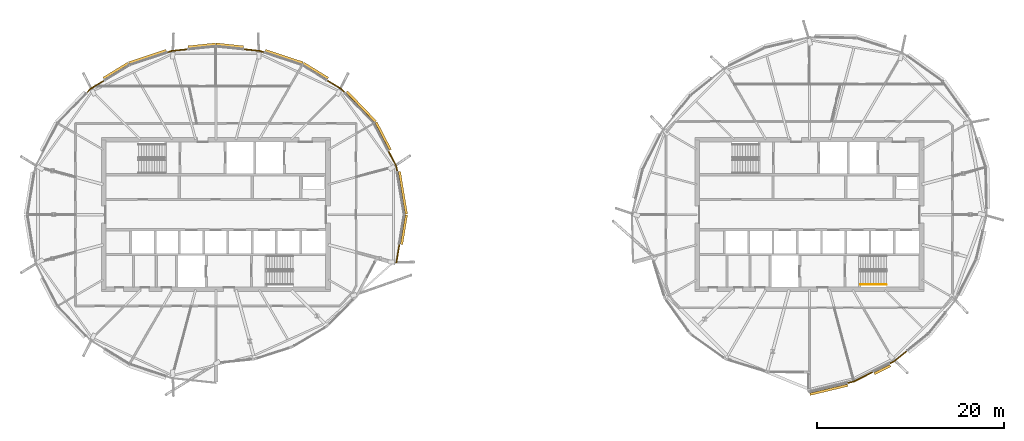
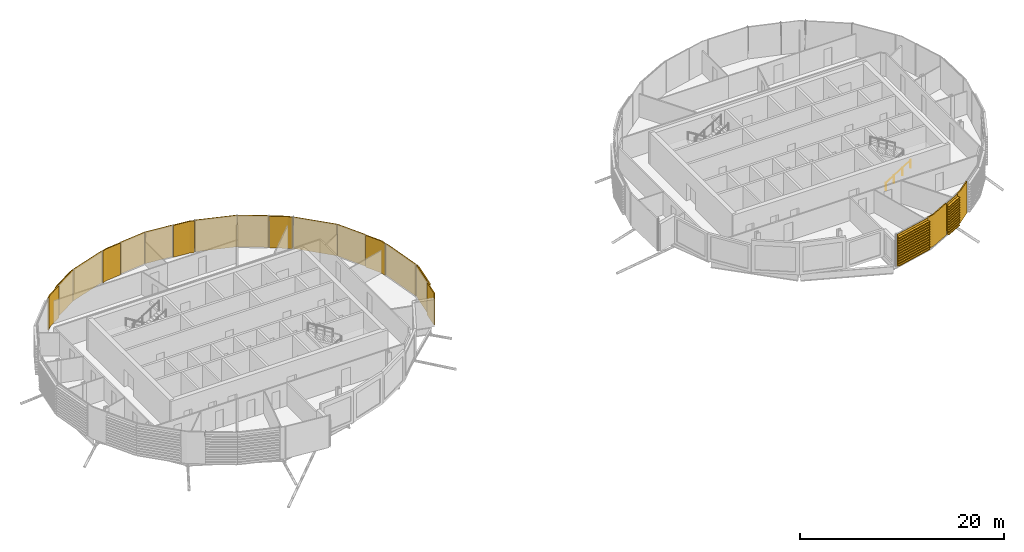
# One storey, part 34 of 36: 20 coverings, 1 railing.
"""IFC4 building model written with IfcOpenShell, lengths in metres."""

from ifc_helpers import new_model, si_unit, direction, frame, origin, origin_2d, place, context, subcontext, project, spatial, polyline, circle, outline, extrude, material, layer, layer_set, material_profile, profile_set, type_object, element, save


model = new_model("IFC4")

# Units and contexts
model_context = context("Model", 3, precision=1e-05, world=origin(), true_north=direction((0.0, 1.0)))
body_context = subcontext(model_context, "Body", "Model", "MODEL_VIEW")
ifc_project = project(units=[si_unit("LENGTHUNIT", "METRE"), si_unit("AREAUNIT", "SQUARE_METRE"), si_unit("VOLUMEUNIT", "CUBIC_METRE"), si_unit("PLANEANGLEUNIT", "RADIAN"), si_unit("MASSUNIT", "GRAM", prefix="KILO")], contexts=[model_context])

# Site, building, storey
site_placement = place(None, origin())
site = spatial("IfcSite", under=ifc_project, at=site_placement, CompositionType="ELEMENT")
building_placement = place(site_placement, origin())
building = spatial("IfcBuilding", under=site, at=building_placement, Name="Rimbun Link Towers", CompositionType="ELEMENT")
storey_placement = place(building_placement, frame((0.0, 0.0, 248.5)))
storey = spatial("IfcBuildingStorey", under=building, at=storey_placement, Name="L61", CompositionType="ELEMENT", Elevation=248.5)

# Coverings
ifc_material_1 = material(Name="Terracotta", Category="masonry")
ifc_layer = layer(ifc_material_1, 0.1201171875)
ifc_layer_set = layer_set([ifc_layer], Name="LINK PIER terracotta cladding 120")
covering_type_1 = type_object("IfcCoveringType", Name="LINK PIER terracotta cladding 120", PredefinedType="CLADDING", material=ifc_layer_set)
covering_1_placement = place(storey_placement, origin())
element("IfcCovering", 1, at=covering_1_placement, inside=storey, type_object=covering_type_1, Name="LINK PIER cladding", PredefinedType="CLADDING", context=body_context, shape_type="SweptSolid", body=[
    extrude(outline(polyline([(-13.327392578125, 6.77685546875), (-12.490966796875, 5.160400390625), (-12.3984375, 4.59814453125), (-12.280029296875, 4.617431640625), (-12.37548828125, 5.19873046875), (-13.220703125, 6.83203125), (-13.327392578125, 6.77685546875)])), origin(), (0.0, 0.0, 1.0), 3.800048828125),
])
covering_2_placement = place(storey_placement, origin())
element("IfcCovering", 2, at=covering_2_placement, inside=storey, type_object=covering_type_1, Name="LINK PIER cladding", PredefinedType="CLADDING", context=body_context, shape_type="SweptSolid", body=[
    extrude(outline(polyline([(-19.8662109375, 14.318115234375), (-18.35791015625, 13.39208984375), (-17.96337890625, 12.980712890625), (-17.876708984375, 13.063720703125), (-18.281982421875, 13.486328125), (-19.803466796875, 14.42041015625), (-19.8662109375, 14.318115234375)])), origin(), (0.0, 0.0, 1.0), 3.800048828125),
])
covering_3_placement = place(storey_placement, origin())
element("IfcCovering", 3, at=covering_3_placement, inside=storey, type_object=covering_type_1, Name="LINK PIER cladding", PredefinedType="CLADDING", context=body_context, shape_type="SweptSolid", body=[
    extrude(outline(polyline([(-28.781982421875, 17.640625), (-27.071533203125, 17.460693359375), (-26.577880859375, 17.297119140625), (-26.5400390625, 17.410888671875), (-27.046142578125, 17.57861328125), (-28.76953125, 17.760009765625), (-28.781982421875, 17.640625)])), origin(), (0.0, 0.0, 1.0), 3.800048828125),
])
covering_4_placement = place(storey_placement, origin())
element("IfcCovering", 4, at=covering_4_placement, inside=storey, type_object=covering_type_1, Name="LINK PIER cladding", PredefinedType="CLADDING", context=body_context, shape_type="SweptSolid", body=[
    extrude(outline(polyline([(-36.922119140625, 17.297119140625), (-36.428466796875, 17.460693359375), (-34.718017578125, 17.640625), (-34.73046875, 17.760009765625), (-36.453857421875, 17.57861328125), (-36.9599609375, 17.410888671875), (-36.922119140625, 17.297119140625)])), origin(), (0.0, 0.0, 1.0), 3.800048828125),
])
covering_5_placement = place(storey_placement, origin())
element("IfcCovering", 5, at=covering_5_placement, inside=storey, type_object=covering_type_1, Name="LINK PIER cladding", PredefinedType="CLADDING", context=body_context, shape_type="SweptSolid", body=[
    extrude(outline(polyline([(-45.53662109375, 12.980712890625), (-45.14208984375, 13.39208984375), (-43.6337890625, 14.318115234375), (-43.696533203125, 14.42041015625), (-45.218017578125, 13.486328125), (-45.623291015625, 13.063720703125), (-45.53662109375, 12.980712890625)])), origin(), (0.0, 0.0, 1.0), 3.800048828125),
])
covering_6_placement = place(storey_placement, origin())
element("IfcCovering", 6, at=covering_6_placement, inside=storey, type_object=covering_type_1, Name="LINK PIER cladding", PredefinedType="CLADDING", context=body_context, shape_type="SweptSolid", body=[
    extrude(outline(polyline([(-12.1630859375, -3.167236328125), (-12.486083984375, -5.130859375), (-12.36767578125, -5.150390625), (-12.044677734375, -3.186767578125), (-12.1630859375, -3.167236328125)])), origin(), (0.0, 0.0, 1.0), 3.800048828125),
])
covering_7_placement = place(storey_placement, origin())
element("IfcCovering", 7, at=covering_7_placement, inside=storey, type_object=covering_type_1, Name="LINK PIER cladding", PredefinedType="CLADDING", context=body_context, shape_type="SweptSolid", body=[
    extrude(outline(polyline([(38.547607421875, -16.77978515625), (36.51904296875, -17.798583984375), (35.81884765625, -17.966064453125), (35.8466796875, -18.082763671875), (36.560546875, -17.912109375), (38.6015625, -16.88720703125), (38.547607421875, -16.77978515625)])), origin(), (0.0, 0.0, 1.0), 3.800048828125),
])
covering_8_placement = place(storey_placement, origin())
element("IfcCovering", 8, at=covering_8_placement, inside=storey, type_object=covering_type_1, Name="LINK PIER cladding", PredefinedType="CLADDING", context=body_context, shape_type="SweptSolid", body=[
    extrude(outline(polyline([(42.1640625, -14.541015625), (40.788330078125, -15.65478515625), (40.323486328125, -15.887939453125), (40.37744140625, -15.995361328125), (40.853759765625, -15.756103515625), (42.239501953125, -14.63427734375), (42.1640625, -14.541015625)])), origin(), (0.0, 0.0, 1.0), 3.800048828125),
])

# Railing
ifc_material_2 = material(Name="Stainless steel grade 316", Category="steel")
railing_type = type_object("IfcRailingType", Name="Stair handrail", PredefinedType="HANDRAIL", material=ifc_material_2)
railing_placement = place(storey_placement, frame((37.199951171875, -7.5, 0.172607421875)))
element("IfcRailing", 9, at=railing_placement, inside=storey, type_object=railing_type, Name="L61 ST4 stair handrail 1", PredefinedType="HANDRAIL", context=body_context, shape_type="SweptSolid", body=[
    extrude(circle(Radius=0.02392578125, at=origin_2d()), frame((0.0, 0.0, 0.8759765625), z_axis=(0.851089632645, 0.0, 0.525020415988), x_axis=(0.0, 1.0, 0.0)), (0.0, 0.0, 1.0), 3.2900390625),
    extrude(circle(Radius=0.02099609375, at=origin_2d()), origin(), (0.0, 0.0, 1.0), 0.851806640625),
    extrude(circle(Radius=0.02099609375, at=origin_2d()), frame((0.933349609375, 0.0, 0.57568359375)), (0.0, 0.0, 1.0), 0.851806640625),
    extrude(circle(Radius=0.02099609375, at=origin_2d()), frame((1.86669921875, 0.0, 1.151611328125)), (0.0, 0.0, 1.0), 0.851806640625),
    extrude(circle(Radius=0.02099609375, at=origin_2d()), frame((2.800048828125, 0.0, 1.727294921875)), (0.0, 0.0, 1.0), 0.851806640625),
])

# Coverings
ifc_material_3 = material(Name="Terracotta", Category="masonry")
ifc_material_profile = material_profile(ifc_material_3, outline(polyline([(0.123046875, 0.0), (0.1630859375, 0.0), (0.1630859375, 0.10009765625), (0.423095703125, 0.10009765625), (0.423095703125, 0.219970703125), (0.1630859375, 0.219970703125), (0.1630859375, 0.39990234375), (0.423095703125, 0.39990234375), (0.423095703125, 0.52001953125), (0.1630859375, 0.52001953125), (0.1630859375, 0.699951171875), (0.423095703125, 0.699951171875), (0.423095703125, 0.820068359375), (0.1630859375, 0.820068359375), (0.1630859375, 1.0), (0.423095703125, 1.0), (0.423095703125, 1.1201171875), (0.1630859375, 1.1201171875), (0.1630859375, 1.300048828125), (0.423095703125, 1.300048828125), (0.423095703125, 1.419921875), (0.1630859375, 1.419921875), (0.1630859375, 1.60009765625), (0.423095703125, 1.60009765625), (0.423095703125, 1.719970703125), (0.1630859375, 1.719970703125), (0.1630859375, 1.89990234375), (0.423095703125, 1.89990234375), (0.423095703125, 2.02001953125), (0.1630859375, 2.02001953125), (0.1630859375, 2.199951171875), (0.423095703125, 2.199951171875), (0.423095703125, 2.320068359375), (0.1630859375, 2.320068359375), (0.1630859375, 2.5), (0.423095703125, 2.5), (0.423095703125, 2.6201171875), (0.1630859375, 2.6201171875), (0.1630859375, 2.800048828125), (0.423095703125, 2.800048828125), (0.423095703125, 2.919921875), (0.1630859375, 2.919921875), (0.1630859375, 3.10009765625), (0.423095703125, 3.10009765625), (0.423095703125, 3.219970703125), (0.1630859375, 3.219970703125), (0.1630859375, 3.39990234375), (0.423095703125, 3.39990234375), (0.423095703125, 3.52001953125), (0.1630859375, 3.52001953125), (0.1630859375, 3.800048828125), (0.123046875, 3.800048828125), (0.123046875, 0.0)])), Name="BAGUETTE 120X300")
ifc_profile_set = profile_set([ifc_material_profile], Name="Terracotta")
covering_type_2 = type_object("IfcCoveringType", Name="TERRACOTTA BAGUETTE 120X300 H3800", PredefinedType="CLADDING", material=ifc_profile_set)
covering_9_placement = place(storey_placement, frame((-12.3935546875, 4.568359375, 0.0), z_axis=(0.162260759492, -0.986747914074, 0.0), x_axis=(0.986747914074, 0.162260759492, 0.0)))
element("IfcCovering", 10, at=covering_9_placement, inside=storey, type_object=covering_type_2, Name="TERRACOTTA BAGUETTE", PredefinedType="CLADDING", context=body_context, shape_type="SweptSolid", body=[
    extrude(outline(polyline([(0.123046875, 0.0), (0.1630859375, 0.0), (0.1630859375, 0.10009765625), (0.423095703125, 0.10009765625), (0.423095703125, 0.219970703125), (0.1630859375, 0.219970703125), (0.1630859375, 0.39990234375), (0.423095703125, 0.39990234375), (0.423095703125, 0.52001953125), (0.1630859375, 0.52001953125), (0.1630859375, 0.699951171875), (0.423095703125, 0.699951171875), (0.423095703125, 0.820068359375), (0.1630859375, 0.820068359375), (0.1630859375, 1.0), (0.423095703125, 1.0), (0.423095703125, 1.1201171875), (0.1630859375, 1.1201171875), (0.1630859375, 1.300048828125), (0.423095703125, 1.300048828125), (0.423095703125, 1.419921875), (0.1630859375, 1.419921875), (0.1630859375, 1.60009765625), (0.423095703125, 1.60009765625), (0.423095703125, 1.719970703125), (0.1630859375, 1.719970703125), (0.1630859375, 1.89990234375), (0.423095703125, 1.89990234375), (0.423095703125, 2.02001953125), (0.1630859375, 2.02001953125), (0.1630859375, 2.199951171875), (0.423095703125, 2.199951171875), (0.423095703125, 2.320068359375), (0.1630859375, 2.320068359375), (0.1630859375, 2.5), (0.423095703125, 2.5), (0.423095703125, 2.6201171875), (0.1630859375, 2.6201171875), (0.1630859375, 2.800048828125), (0.423095703125, 2.800048828125), (0.423095703125, 2.919921875), (0.1630859375, 2.919921875), (0.1630859375, 3.10009765625), (0.423095703125, 3.10009765625), (0.423095703125, 3.219970703125), (0.1630859375, 3.219970703125), (0.1630859375, 3.39990234375), (0.423095703125, 3.39990234375), (0.423095703125, 3.52001953125), (0.1630859375, 3.52001953125), (0.1630859375, 3.800048828125), (0.123046875, 3.800048828125), (0.123046875, 0.0)])), origin(), (0.0, 0.0, 1.0), 4.629638671875),
])
covering_10_placement = place(storey_placement, frame((-14.864990234375, 9.74853515625, 0.0), z_axis=(0.459569127247, -0.888142002881, 0.0), x_axis=(0.888142002881, 0.459569127247, 0.0)))
element("IfcCovering", 11, at=covering_10_placement, inside=storey, type_object=covering_type_2, Name="TERRACOTTA BAGUETTE", PredefinedType="CLADDING", context=body_context, shape_type="SweptSolid", body=[
    extrude(outline(polyline([(0.123046875, 0.0), (0.1630859375, 0.0), (0.1630859375, 0.10009765625), (0.423095703125, 0.10009765625), (0.423095703125, 0.219970703125), (0.1630859375, 0.219970703125), (0.1630859375, 0.39990234375), (0.423095703125, 0.39990234375), (0.423095703125, 0.52001953125), (0.1630859375, 0.52001953125), (0.1630859375, 0.699951171875), (0.423095703125, 0.699951171875), (0.423095703125, 0.820068359375), (0.1630859375, 0.820068359375), (0.1630859375, 1.0), (0.423095703125, 1.0), (0.423095703125, 1.1201171875), (0.1630859375, 1.1201171875), (0.1630859375, 1.300048828125), (0.423095703125, 1.300048828125), (0.423095703125, 1.419921875), (0.1630859375, 1.419921875), (0.1630859375, 1.60009765625), (0.423095703125, 1.60009765625), (0.423095703125, 1.719970703125), (0.1630859375, 1.719970703125), (0.1630859375, 1.89990234375), (0.423095703125, 1.89990234375), (0.423095703125, 2.02001953125), (0.1630859375, 2.02001953125), (0.1630859375, 2.199951171875), (0.423095703125, 2.199951171875), (0.423095703125, 2.320068359375), (0.1630859375, 2.320068359375), (0.1630859375, 2.5), (0.423095703125, 2.5), (0.423095703125, 2.6201171875), (0.1630859375, 2.6201171875), (0.1630859375, 2.800048828125), (0.423095703125, 2.800048828125), (0.423095703125, 2.919921875), (0.1630859375, 2.919921875), (0.1630859375, 3.10009765625), (0.423095703125, 3.10009765625), (0.423095703125, 3.219970703125), (0.1630859375, 3.219970703125), (0.1630859375, 3.39990234375), (0.423095703125, 3.39990234375), (0.423095703125, 3.52001953125), (0.1630859375, 3.52001953125), (0.1630859375, 3.800048828125), (0.123046875, 3.800048828125), (0.123046875, 0.0)])), origin(), (0.0, 0.0, 1.0), 3.31591796875),
])
covering_11_placement = place(storey_placement, frame((-17.942626953125, 12.958984375, 0.0), z_axis=(0.692017431912, -0.721880789279, 0.0), x_axis=(0.721880789279, 0.692017431912, 0.0)))
element("IfcCovering", 12, at=covering_11_placement, inside=storey, type_object=covering_type_2, Name="TERRACOTTA BAGUETTE", PredefinedType="CLADDING", context=body_context, shape_type="SweptSolid", body=[
    extrude(outline(polyline([(0.123046875, 0.0), (0.1630859375, 0.0), (0.1630859375, 0.10009765625), (0.423095703125, 0.10009765625), (0.423095703125, 0.219970703125), (0.1630859375, 0.219970703125), (0.1630859375, 0.39990234375), (0.423095703125, 0.39990234375), (0.423095703125, 0.52001953125), (0.1630859375, 0.52001953125), (0.1630859375, 0.699951171875), (0.423095703125, 0.699951171875), (0.423095703125, 0.820068359375), (0.1630859375, 0.820068359375), (0.1630859375, 1.0), (0.423095703125, 1.0), (0.423095703125, 1.1201171875), (0.1630859375, 1.1201171875), (0.1630859375, 1.300048828125), (0.423095703125, 1.300048828125), (0.423095703125, 1.419921875), (0.1630859375, 1.419921875), (0.1630859375, 1.60009765625), (0.423095703125, 1.60009765625), (0.423095703125, 1.719970703125), (0.1630859375, 1.719970703125), (0.1630859375, 1.89990234375), (0.423095703125, 1.89990234375), (0.423095703125, 2.02001953125), (0.1630859375, 2.02001953125), (0.1630859375, 2.199951171875), (0.423095703125, 2.199951171875), (0.423095703125, 2.320068359375), (0.1630859375, 2.320068359375), (0.1630859375, 2.5), (0.423095703125, 2.5), (0.423095703125, 2.6201171875), (0.1630859375, 2.6201171875), (0.1630859375, 2.800048828125), (0.423095703125, 2.800048828125), (0.423095703125, 2.919921875), (0.1630859375, 2.919921875), (0.1630859375, 3.10009765625), (0.423095703125, 3.10009765625), (0.423095703125, 3.219970703125), (0.1630859375, 3.219970703125), (0.1630859375, 3.39990234375), (0.423095703125, 3.39990234375), (0.423095703125, 3.52001953125), (0.1630859375, 3.52001953125), (0.1630859375, 3.800048828125), (0.123046875, 3.800048828125), (0.123046875, 0.0)])), origin(), (0.0, 0.0, 1.0), 4.447265625),
])
covering_12_placement = place(storey_placement, frame((-22.53662109375, 15.957763671875, 0.0), z_axis=(0.852200764088, -0.523214924947, 0.0), x_axis=(0.523214924947, 0.852200764088, 0.0)))
element("IfcCovering", 13, at=covering_12_placement, inside=storey, type_object=covering_type_2, Name="TERRACOTTA BAGUETTE", PredefinedType="CLADDING", context=body_context, shape_type="SweptSolid", body=[
    extrude(outline(polyline([(0.123046875, 0.0), (0.1630859375, 0.0), (0.1630859375, 0.10009765625), (0.423095703125, 0.10009765625), (0.423095703125, 0.219970703125), (0.1630859375, 0.219970703125), (0.1630859375, 0.39990234375), (0.423095703125, 0.39990234375), (0.423095703125, 0.52001953125), (0.1630859375, 0.52001953125), (0.1630859375, 0.699951171875), (0.423095703125, 0.699951171875), (0.423095703125, 0.820068359375), (0.1630859375, 0.820068359375), (0.1630859375, 1.0), (0.423095703125, 1.0), (0.423095703125, 1.1201171875), (0.1630859375, 1.1201171875), (0.1630859375, 1.300048828125), (0.423095703125, 1.300048828125), (0.423095703125, 1.419921875), (0.1630859375, 1.419921875), (0.1630859375, 1.60009765625), (0.423095703125, 1.60009765625), (0.423095703125, 1.719970703125), (0.1630859375, 1.719970703125), (0.1630859375, 1.89990234375), (0.423095703125, 1.89990234375), (0.423095703125, 2.02001953125), (0.1630859375, 2.02001953125), (0.1630859375, 2.199951171875), (0.423095703125, 2.199951171875), (0.423095703125, 2.320068359375), (0.1630859375, 2.320068359375), (0.1630859375, 2.5), (0.423095703125, 2.5), (0.423095703125, 2.6201171875), (0.1630859375, 2.6201171875), (0.1630859375, 2.800048828125), (0.423095703125, 2.800048828125), (0.423095703125, 2.919921875), (0.1630859375, 2.919921875), (0.1630859375, 3.10009765625), (0.423095703125, 3.10009765625), (0.423095703125, 3.219970703125), (0.1630859375, 3.219970703125), (0.1630859375, 3.39990234375), (0.423095703125, 3.39990234375), (0.423095703125, 3.52001953125), (0.1630859375, 3.52001953125), (0.1630859375, 3.800048828125), (0.123046875, 3.800048828125), (0.123046875, 0.0)])), origin(), (0.0, 0.0, 1.0), 3.103515625),
])
covering_13_placement = place(storey_placement, frame((-26.54931640625, 17.28759765625, 0.0), z_axis=(0.949230524958, -0.314581325715, 0.0), x_axis=(0.314581325715, 0.949230524958, 0.0)))
element("IfcCovering", 14, at=covering_13_placement, inside=storey, type_object=covering_type_2, Name="TERRACOTTA BAGUETTE", PredefinedType="CLADDING", context=body_context, shape_type="SweptSolid", body=[
    extrude(outline(polyline([(0.123046875, 0.0), (0.1630859375, 0.0), (0.1630859375, 0.10009765625), (0.423095703125, 0.10009765625), (0.423095703125, 0.219970703125), (0.1630859375, 0.219970703125), (0.1630859375, 0.39990234375), (0.423095703125, 0.39990234375), (0.423095703125, 0.52001953125), (0.1630859375, 0.52001953125), (0.1630859375, 0.699951171875), (0.423095703125, 0.699951171875), (0.423095703125, 0.820068359375), (0.1630859375, 0.820068359375), (0.1630859375, 1.0), (0.423095703125, 1.0), (0.423095703125, 1.1201171875), (0.1630859375, 1.1201171875), (0.1630859375, 1.300048828125), (0.423095703125, 1.300048828125), (0.423095703125, 1.419921875), (0.1630859375, 1.419921875), (0.1630859375, 1.60009765625), (0.423095703125, 1.60009765625), (0.423095703125, 1.719970703125), (0.1630859375, 1.719970703125), (0.1630859375, 1.89990234375), (0.423095703125, 1.89990234375), (0.423095703125, 2.02001953125), (0.1630859375, 2.02001953125), (0.1630859375, 2.199951171875), (0.423095703125, 2.199951171875), (0.423095703125, 2.320068359375), (0.1630859375, 2.320068359375), (0.1630859375, 2.5), (0.423095703125, 2.5), (0.423095703125, 2.6201171875), (0.1630859375, 2.6201171875), (0.1630859375, 2.800048828125), (0.423095703125, 2.800048828125), (0.423095703125, 2.919921875), (0.1630859375, 2.919921875), (0.1630859375, 3.10009765625), (0.423095703125, 3.10009765625), (0.423095703125, 3.219970703125), (0.1630859375, 3.219970703125), (0.1630859375, 3.39990234375), (0.423095703125, 3.39990234375), (0.423095703125, 3.52001953125), (0.1630859375, 3.52001953125), (0.1630859375, 3.800048828125), (0.123046875, 3.800048828125), (0.123046875, 0.0)])), origin(), (0.0, 0.0, 1.0), 4.227294921875),
])
for number, where, z_axis, x_axis, name in (
    (15, (-31.75, 17.953369140625, 0.0), (0.994495487107, -0.104779416506, 0.0), (0.104779416506, 0.994495487107, 0.0), "TERRACOTTA BAGUETTE"),
    (16, (-34.688232421875, 17.643798828125, 0.0), (0.994495487107, 0.104779416506, 0.0), (-0.104779416506, 0.994495487107, 0.0), "TERRACOTTA BAGUETTE"),
):
    element("IfcCovering", number, at=place(storey_placement, frame(where, z_axis=z_axis, x_axis=x_axis)), inside=storey, type_object=covering_type_2, Name=name, PredefinedType="CLADDING", context=body_context, shape_type="SweptSolid", body=[
        extrude(outline(polyline([(0.123046875, 0.0), (0.1630859375, 0.0), (0.1630859375, 0.10009765625), (0.423095703125, 0.10009765625), (0.423095703125, 0.219970703125), (0.1630859375, 0.219970703125), (0.1630859375, 0.39990234375), (0.423095703125, 0.39990234375), (0.423095703125, 0.52001953125), (0.1630859375, 0.52001953125), (0.1630859375, 0.699951171875), (0.423095703125, 0.699951171875), (0.423095703125, 0.820068359375), (0.1630859375, 0.820068359375), (0.1630859375, 1.0), (0.423095703125, 1.0), (0.423095703125, 1.1201171875), (0.1630859375, 1.1201171875), (0.1630859375, 1.300048828125), (0.423095703125, 1.300048828125), (0.423095703125, 1.419921875), (0.1630859375, 1.419921875), (0.1630859375, 1.60009765625), (0.423095703125, 1.60009765625), (0.423095703125, 1.719970703125), (0.1630859375, 1.719970703125), (0.1630859375, 1.89990234375), (0.423095703125, 1.89990234375), (0.423095703125, 2.02001953125), (0.1630859375, 2.02001953125), (0.1630859375, 2.199951171875), (0.423095703125, 2.199951171875), (0.423095703125, 2.320068359375), (0.1630859375, 2.320068359375), (0.1630859375, 2.5), (0.423095703125, 2.5), (0.423095703125, 2.6201171875), (0.1630859375, 2.6201171875), (0.1630859375, 2.800048828125), (0.423095703125, 2.800048828125), (0.423095703125, 2.919921875), (0.1630859375, 2.919921875), (0.1630859375, 3.10009765625), (0.423095703125, 3.10009765625), (0.423095703125, 3.219970703125), (0.1630859375, 3.219970703125), (0.1630859375, 3.39990234375), (0.423095703125, 3.39990234375), (0.423095703125, 3.52001953125), (0.1630859375, 3.52001953125), (0.1630859375, 3.800048828125), (0.123046875, 3.800048828125), (0.123046875, 0.0)])), origin(), (0.0, 0.0, 1.0), 2.95458984375),
    ])
covering_14_placement = place(storey_placement, frame((-40.96337890625, 15.957763671875, 0.0), z_axis=(0.949230524958, 0.314581325715, 0.0), x_axis=(-0.314581325715, 0.949230524958, 0.0)))
element("IfcCovering", 17, at=covering_14_placement, inside=storey, type_object=covering_type_2, Name="TERRACOTTA BAGUETTE", PredefinedType="CLADDING", context=body_context, shape_type="SweptSolid", body=[
    extrude(outline(polyline([(0.123046875, 0.0), (0.1630859375, 0.0), (0.1630859375, 0.10009765625), (0.423095703125, 0.10009765625), (0.423095703125, 0.219970703125), (0.1630859375, 0.219970703125), (0.1630859375, 0.39990234375), (0.423095703125, 0.39990234375), (0.423095703125, 0.52001953125), (0.1630859375, 0.52001953125), (0.1630859375, 0.699951171875), (0.423095703125, 0.699951171875), (0.423095703125, 0.820068359375), (0.1630859375, 0.820068359375), (0.1630859375, 1.0), (0.423095703125, 1.0), (0.423095703125, 1.1201171875), (0.1630859375, 1.1201171875), (0.1630859375, 1.300048828125), (0.423095703125, 1.300048828125), (0.423095703125, 1.419921875), (0.1630859375, 1.419921875), (0.1630859375, 1.60009765625), (0.423095703125, 1.60009765625), (0.423095703125, 1.719970703125), (0.1630859375, 1.719970703125), (0.1630859375, 1.89990234375), (0.423095703125, 1.89990234375), (0.423095703125, 2.02001953125), (0.1630859375, 2.02001953125), (0.1630859375, 2.199951171875), (0.423095703125, 2.199951171875), (0.423095703125, 2.320068359375), (0.1630859375, 2.320068359375), (0.1630859375, 2.5), (0.423095703125, 2.5), (0.423095703125, 2.6201171875), (0.1630859375, 2.6201171875), (0.1630859375, 2.800048828125), (0.423095703125, 2.800048828125), (0.423095703125, 2.919921875), (0.1630859375, 2.919921875), (0.1630859375, 3.10009765625), (0.423095703125, 3.10009765625), (0.423095703125, 3.219970703125), (0.1630859375, 3.219970703125), (0.1630859375, 3.39990234375), (0.423095703125, 3.39990234375), (0.423095703125, 3.52001953125), (0.1630859375, 3.52001953125), (0.1630859375, 3.800048828125), (0.123046875, 3.800048828125), (0.123046875, 0.0)])), origin(), (0.0, 0.0, 1.0), 4.227294921875),
])
covering_15_placement = place(storey_placement, frame((-43.608154296875, 14.333984375, 0.0), z_axis=(0.852200764088, 0.523214924947, 0.0), x_axis=(-0.523214924947, 0.852200764088, 0.0)))
element("IfcCovering", 18, at=covering_15_placement, inside=storey, type_object=covering_type_2, Name="TERRACOTTA BAGUETTE", PredefinedType="CLADDING", context=body_context, shape_type="SweptSolid", body=[
    extrude(outline(polyline([(0.123046875, 0.0), (0.1630859375, 0.0), (0.1630859375, 0.10009765625), (0.423095703125, 0.10009765625), (0.423095703125, 0.219970703125), (0.1630859375, 0.219970703125), (0.1630859375, 0.39990234375), (0.423095703125, 0.39990234375), (0.423095703125, 0.52001953125), (0.1630859375, 0.52001953125), (0.1630859375, 0.699951171875), (0.423095703125, 0.699951171875), (0.423095703125, 0.820068359375), (0.1630859375, 0.820068359375), (0.1630859375, 1.0), (0.423095703125, 1.0), (0.423095703125, 1.1201171875), (0.1630859375, 1.1201171875), (0.1630859375, 1.300048828125), (0.423095703125, 1.300048828125), (0.423095703125, 1.419921875), (0.1630859375, 1.419921875), (0.1630859375, 1.60009765625), (0.423095703125, 1.60009765625), (0.423095703125, 1.719970703125), (0.1630859375, 1.719970703125), (0.1630859375, 1.89990234375), (0.423095703125, 1.89990234375), (0.423095703125, 2.02001953125), (0.1630859375, 2.02001953125), (0.1630859375, 2.199951171875), (0.423095703125, 2.199951171875), (0.423095703125, 2.320068359375), (0.1630859375, 2.320068359375), (0.1630859375, 2.5), (0.423095703125, 2.5), (0.423095703125, 2.6201171875), (0.1630859375, 2.6201171875), (0.1630859375, 2.800048828125), (0.423095703125, 2.800048828125), (0.423095703125, 2.919921875), (0.1630859375, 2.919921875), (0.1630859375, 3.10009765625), (0.423095703125, 3.10009765625), (0.423095703125, 3.219970703125), (0.1630859375, 3.219970703125), (0.1630859375, 3.39990234375), (0.423095703125, 3.39990234375), (0.423095703125, 3.52001953125), (0.1630859375, 3.52001953125), (0.1630859375, 3.800048828125), (0.123046875, 3.800048828125), (0.123046875, 0.0)])), origin(), (0.0, 0.0, 1.0), 3.103515625),
])
covering_16_placement = place(storey_placement, frame((-11.642333984375, 0.0, 0.0), z_axis=(-0.162232202308, -0.986752609591, 0.0), x_axis=(0.986752609591, -0.162232202308, 0.0)))
element("IfcCovering", 19, at=covering_16_placement, inside=storey, type_object=covering_type_2, Name="TERRACOTTA BAGUETTE", PredefinedType="CLADDING", context=body_context, shape_type="SweptSolid", body=[
    extrude(outline(polyline([(0.123046875, 0.0), (0.1630859375, 0.0), (0.1630859375, 0.10009765625), (0.423095703125, 0.10009765625), (0.423095703125, 0.219970703125), (0.1630859375, 0.219970703125), (0.1630859375, 0.39990234375), (0.423095703125, 0.39990234375), (0.423095703125, 0.52001953125), (0.1630859375, 0.52001953125), (0.1630859375, 0.699951171875), (0.423095703125, 0.699951171875), (0.423095703125, 0.820068359375), (0.1630859375, 0.820068359375), (0.1630859375, 1.0), (0.423095703125, 1.0), (0.423095703125, 1.1201171875), (0.1630859375, 1.1201171875), (0.1630859375, 1.300048828125), (0.423095703125, 1.300048828125), (0.423095703125, 1.419921875), (0.1630859375, 1.419921875), (0.1630859375, 1.60009765625), (0.423095703125, 1.60009765625), (0.423095703125, 1.719970703125), (0.1630859375, 1.719970703125), (0.1630859375, 1.89990234375), (0.423095703125, 1.89990234375), (0.423095703125, 2.02001953125), (0.1630859375, 2.02001953125), (0.1630859375, 2.199951171875), (0.423095703125, 2.199951171875), (0.423095703125, 2.320068359375), (0.1630859375, 2.320068359375), (0.1630859375, 2.5), (0.423095703125, 2.5), (0.423095703125, 2.6201171875), (0.1630859375, 2.6201171875), (0.1630859375, 2.800048828125), (0.423095703125, 2.800048828125), (0.423095703125, 2.919921875), (0.1630859375, 2.919921875), (0.1630859375, 3.10009765625), (0.423095703125, 3.10009765625), (0.423095703125, 3.219970703125), (0.1630859375, 3.219970703125), (0.1630859375, 3.39990234375), (0.423095703125, 3.39990234375), (0.423095703125, 3.52001953125), (0.1630859375, 3.52001953125), (0.1630859375, 3.800048828125), (0.123046875, 3.800048828125), (0.123046875, 0.0)])), origin(), (0.0, 0.0, 1.0), 3.179931640625),
])
covering_17_placement = place(storey_placement, frame((35.78955078125, -17.97314453125, 0.0), z_axis=(-0.972574266838, -0.232592552513, 0.0), x_axis=(0.232592552513, -0.972574266838, 0.0)))
element("IfcCovering", 20, at=covering_17_placement, inside=storey, type_object=covering_type_2, Name="TERRACOTTA BAGUETTE", PredefinedType="CLADDING", context=body_context, shape_type="SweptSolid", body=[
    extrude(outline(polyline([(0.123046875, 0.0), (0.1630859375, 0.0), (0.1630859375, 0.10009765625), (0.423095703125, 0.10009765625), (0.423095703125, 0.219970703125), (0.1630859375, 0.219970703125), (0.1630859375, 0.39990234375), (0.423095703125, 0.39990234375), (0.423095703125, 0.52001953125), (0.1630859375, 0.52001953125), (0.1630859375, 0.699951171875), (0.423095703125, 0.699951171875), (0.423095703125, 0.820068359375), (0.1630859375, 0.820068359375), (0.1630859375, 1.0), (0.423095703125, 1.0), (0.423095703125, 1.1201171875), (0.1630859375, 1.1201171875), (0.1630859375, 1.300048828125), (0.423095703125, 1.300048828125), (0.423095703125, 1.419921875), (0.1630859375, 1.419921875), (0.1630859375, 1.60009765625), (0.423095703125, 1.60009765625), (0.423095703125, 1.719970703125), (0.1630859375, 1.719970703125), (0.1630859375, 1.89990234375), (0.423095703125, 1.89990234375), (0.423095703125, 2.02001953125), (0.1630859375, 2.02001953125), (0.1630859375, 2.199951171875), (0.423095703125, 2.199951171875), (0.423095703125, 2.320068359375), (0.1630859375, 2.320068359375), (0.1630859375, 2.5), (0.423095703125, 2.5), (0.423095703125, 2.6201171875), (0.1630859375, 2.6201171875), (0.1630859375, 2.800048828125), (0.423095703125, 2.800048828125), (0.423095703125, 2.919921875), (0.1630859375, 2.919921875), (0.1630859375, 3.10009765625), (0.423095703125, 3.10009765625), (0.423095703125, 3.219970703125), (0.1630859375, 3.219970703125), (0.1630859375, 3.39990234375), (0.423095703125, 3.39990234375), (0.423095703125, 3.52001953125), (0.1630859375, 3.52001953125), (0.1630859375, 3.800048828125), (0.123046875, 3.800048828125), (0.123046875, 0.0)])), origin(), (0.0, 0.0, 1.0), 4.153564453125),
])
covering_18_placement = place(storey_placement, frame((40.296875, -15.901611328125, 0.0), z_axis=(-0.893691269661, -0.448682420573, 0.0), x_axis=(0.448682420573, -0.893691269661, 0.0)))
element("IfcCovering", 21, at=covering_18_placement, inside=storey, type_object=covering_type_2, Name="TERRACOTTA BAGUETTE", PredefinedType="CLADDING", context=body_context, shape_type="SweptSolid", body=[
    extrude(outline(polyline([(0.123046875, 0.0), (0.1630859375, 0.0), (0.1630859375, 0.10009765625), (0.423095703125, 0.10009765625), (0.423095703125, 0.219970703125), (0.1630859375, 0.219970703125), (0.1630859375, 0.39990234375), (0.423095703125, 0.39990234375), (0.423095703125, 0.52001953125), (0.1630859375, 0.52001953125), (0.1630859375, 0.699951171875), (0.423095703125, 0.699951171875), (0.423095703125, 0.820068359375), (0.1630859375, 0.820068359375), (0.1630859375, 1.0), (0.423095703125, 1.0), (0.423095703125, 1.1201171875), (0.1630859375, 1.1201171875), (0.1630859375, 1.300048828125), (0.423095703125, 1.300048828125), (0.423095703125, 1.419921875), (0.1630859375, 1.419921875), (0.1630859375, 1.60009765625), (0.423095703125, 1.60009765625), (0.423095703125, 1.719970703125), (0.1630859375, 1.719970703125), (0.1630859375, 1.89990234375), (0.423095703125, 1.89990234375), (0.423095703125, 2.02001953125), (0.1630859375, 2.02001953125), (0.1630859375, 2.199951171875), (0.423095703125, 2.199951171875), (0.423095703125, 2.320068359375), (0.1630859375, 2.320068359375), (0.1630859375, 2.5), (0.423095703125, 2.5), (0.423095703125, 2.6201171875), (0.1630859375, 2.6201171875), (0.1630859375, 2.800048828125), (0.423095703125, 2.800048828125), (0.423095703125, 2.919921875), (0.1630859375, 2.919921875), (0.1630859375, 3.10009765625), (0.423095703125, 3.10009765625), (0.423095703125, 3.219970703125), (0.1630859375, 3.219970703125), (0.1630859375, 3.39990234375), (0.423095703125, 3.39990234375), (0.423095703125, 3.52001953125), (0.1630859375, 3.52001953125), (0.1630859375, 3.800048828125), (0.123046875, 3.800048828125), (0.123046875, 0.0)])), origin(), (0.0, 0.0, 1.0), 1.92724609375),
])

save(model, "model.ifc")
